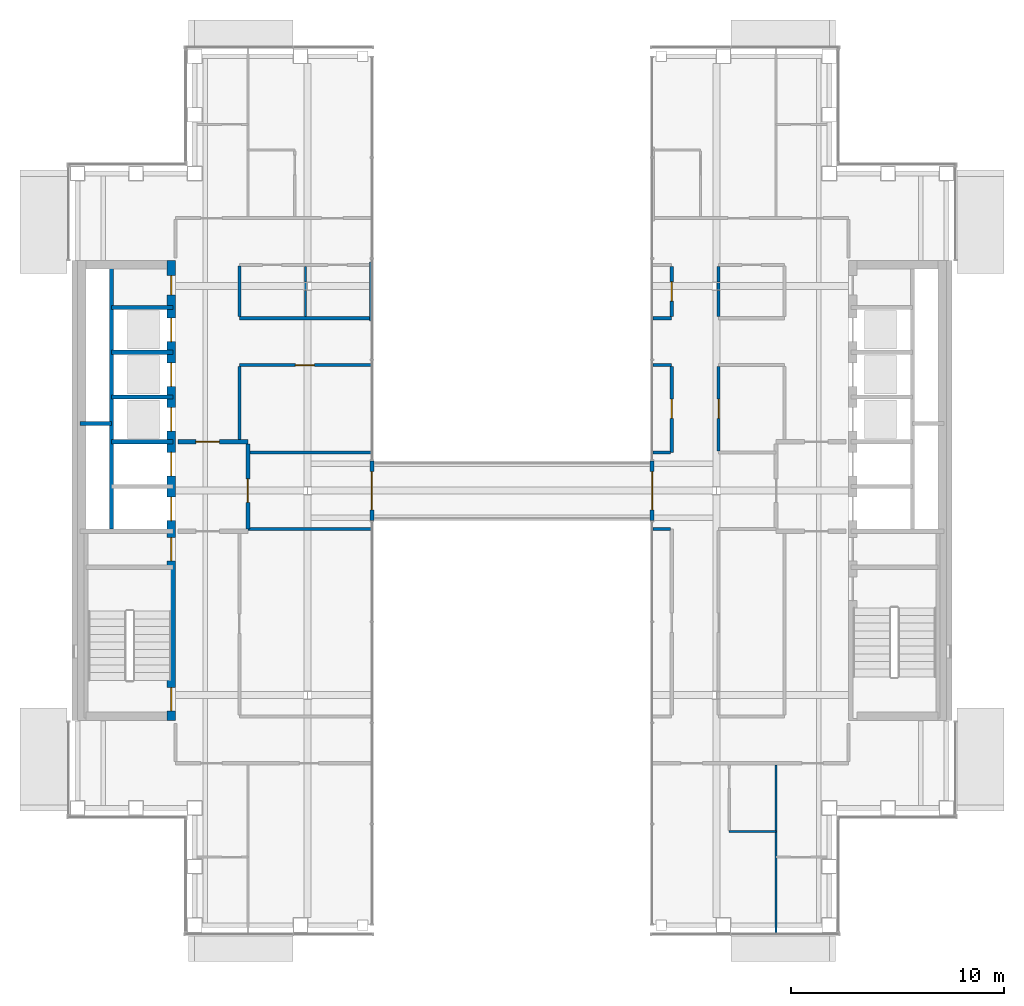
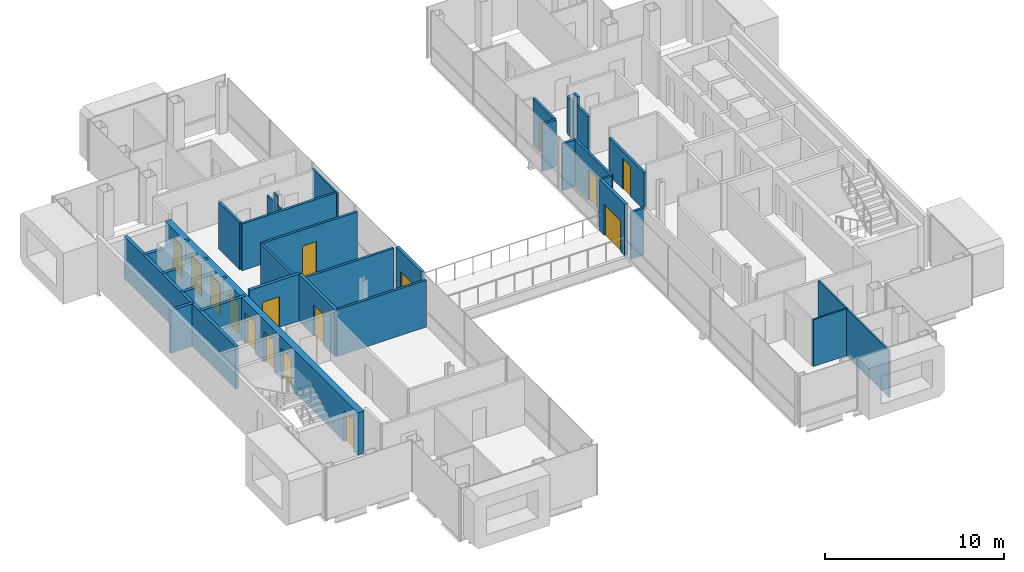
# One storey, part 11 of 17: 33 walls, 16 doors, 16 openings.
"""IFC4 building model written with IfcOpenShell, lengths in metres."""

import ifcopenshell
import ifcopenshell.guid

model = None  # the IFC model being written
_history = None  # IfcOwnerHistory: only IFC2X3 demands one
_inside = {}  # id of a spatial element -> (the spatial element, [elements in it])
_under = {}  # id of a project, library or spatial element -> (it, [spatial elements below it])
_declared = {}  # id of a project -> (the project, [libraries it declares])
_typed = {}  # id of a type object -> (the type object, [elements of that type])
_made_of = {}  # id of a material, layer set ... -> (it, [elements and type objects made of it])


def new_model(schema):
    """Start an empty IFC model of exactly this schema.

    Asked for "IFC4X3", IfcOpenShell would pick the latest addendum, in which some entities
    have other attributes; the version numbers below select the first issue.
    IFC2X3 requires an IfcOwnerHistory on every rooted entity: one is made here for all.
    """
    global model, _history
    if schema == "IFC4X3":
        model = ifcopenshell.file(schema_version=(4, 3, 0, 0))
    else:
        model = ifcopenshell.file(schema=schema)
    _inside.clear()
    _under.clear()
    _declared.clear()
    _typed.clear()
    _made_of.clear()
    _history = None
    if model.schema == "IFC2X3":
        org = make("IfcOrganization", Name="unknown")
        user = make(
            "IfcPersonAndOrganization",
            ThePerson=make("IfcPerson", FamilyName="unknown"),
            TheOrganization=org,
        )
        app = make(
            "IfcApplication",
            ApplicationDeveloper=org,
            Version="unknown",
            ApplicationFullName="unknown",
            ApplicationIdentifier="unknown",
        )
        _history = make(
            "IfcOwnerHistory",
            OwningUser=user,
            OwningApplication=app,
            ChangeAction="ADDED",
            CreationDate=0,
        )
    return model


def make(cls, **values):
    """One entity of the class cls with the attributes given. An attribute that is None is left unset."""
    return model.create_entity(
        cls, **{name: value for name, value in values.items() if value is not None}
    )


def rooted(cls, **values):
    """An entity with a GlobalId (a new one), such as an element, a storey or a relation."""
    return make(cls, GlobalId=ifcopenshell.guid.new(), OwnerHistory=_history, **values)


def si_unit(unit_type, name, prefix=None):
    """IfcSIUnit, for example si_unit("LENGTHUNIT", "METRE", prefix="MILLI")."""
    return make("IfcSIUnit", UnitType=unit_type, Prefix=prefix, Name=name)


def assignment(units):
    """IfcUnitAssignment: the units of a project."""
    return None if units is None else make("IfcUnitAssignment", Units=units)


def point(xyz):
    """IfcCartesianPoint."""
    return None if xyz is None else make("IfcCartesianPoint", Coordinates=xyz)


def direction(xyz):
    """IfcDirection."""
    return None if xyz is None else make("IfcDirection", DirectionRatios=xyz)


def frame(location, z_axis=None, x_axis=None):
    """IfcAxis2Placement3D, a coordinate frame: its origin and axes. An axis left out is left unset."""
    return make(
        "IfcAxis2Placement3D",
        Location=point(location),
        Axis=direction(z_axis),
        RefDirection=direction(x_axis),
    )


def frame_2d(location, x_axis=None):
    """IfcAxis2Placement2D, a coordinate frame in the plane: its origin and x axis."""
    return make(
        "IfcAxis2Placement2D", Location=point(location), RefDirection=direction(x_axis)
    )


def origin():
    """The frame at (0, 0, 0) with its axes left unset."""
    return frame((0.0, 0.0, 0.0))


def place(relative_to, where):
    """IfcLocalPlacement: puts the frame where relative to a parent placement (None: the world)."""
    return make(
        "IfcLocalPlacement", PlacementRelTo=relative_to, RelativePlacement=where
    )


def context(
    kind, dimensions, precision=None, world=None, true_north=None, identifier=None
):
    """IfcGeometricRepresentationContext, for example the 3D "Model" context."""
    return make(
        "IfcGeometricRepresentationContext",
        ContextIdentifier=identifier,
        ContextType=kind,
        CoordinateSpaceDimension=dimensions,
        Precision=precision,
        WorldCoordinateSystem=world,
        TrueNorth=true_north,
    )


def subcontext(parent, identifier, kind, view, scale=None):
    """IfcGeometricRepresentationSubContext, for example "Body" below "Model"."""
    return make(
        "IfcGeometricRepresentationSubContext",
        ContextIdentifier=identifier,
        ContextType=kind,
        ParentContext=parent,
        TargetScale=scale,
        TargetView=view,
    )


def project(units=None, contexts=None):
    """IfcProject with its units and contexts."""
    return rooted(
        "IfcProject",
        Name="project",
        RepresentationContexts=contexts,
        UnitsInContext=assignment(units),
    )


def spatial(cls, under=None, at=None, **own):
    """A site, building, storey or space (cls), placed at a placement, below another one or the project."""
    s = rooted(cls, ObjectPlacement=at, **own)
    if under is not None:
        _under.setdefault(under.id(), (under, []))[1].append(s)
    return s


def profile(cls, at=None, kind="AREA", **sizes):
    """A parametric profile (cls). Its sizes go by their IFC names, for example OverallWidth=200.0."""
    return make(cls, ProfileType=kind, Position=at, **sizes)


def rectangle(**sizes):
    """IfcRectangleProfileDef."""
    return profile("IfcRectangleProfileDef", **sizes)


def extrude(swept, where, along, depth):
    """IfcExtrudedAreaSolid: the profile swept, set in the frame where, extruded along a direction by depth."""
    return make(
        "IfcExtrudedAreaSolid",
        SweptArea=swept,
        Position=where,
        ExtrudedDirection=direction(along),
        Depth=depth,
    )


def shape(context_of_items, identifier, shape_type, items):
    """IfcShapeRepresentation: the items that make up one representation, for example the "Body"."""
    return make(
        "IfcShapeRepresentation",
        ContextOfItems=context_of_items,
        RepresentationIdentifier=identifier,
        RepresentationType=shape_type,
        Items=items,
    )


def material(Name=None, Category=None):
    """IfcMaterial."""
    return make("IfcMaterial", Name=Name, Category=Category)


def layer(
    of_material, thickness, ventilated=None, Name=None, Category=None, Priority=None
):
    """IfcMaterialLayer: one layer of a wall or slab, of a material (None: an air gap)."""
    return make(
        "IfcMaterialLayer",
        Material=of_material,
        LayerThickness=thickness,
        IsVentilated=ventilated,
        Name=Name,
        Category=Category,
        Priority=Priority,
    )


def layer_set(layers, Name=None):
    """IfcMaterialLayerSet."""
    return make("IfcMaterialLayerSet", MaterialLayers=layers, LayerSetName=Name)


def made_of(thing, what):
    """Note that an element or type object is made of a material, layer set ...; save() writes the relation."""
    if what is not None:
        _made_of.setdefault(what.id(), (what, []))[1].append(thing)
    return thing


def type_object(cls, material=None, **own):
    """A type object (cls), such as IfcWallType, which elements share."""
    return made_of(rooted(cls, **own), material)


def element(
    cls,
    number,
    at=None,
    inside=None,
    cuts=None,
    type_object=None,
    material=None,
    context=None,
    identifier="Body",
    shape_type=None,
    held_by="IfcProductDefinitionShape",
    body=None,
    shapes=None,
    **own,
):
    """One element of the class cls, such as IfcWall. Its Tag is "e" and its number.

    at: its placement. inside: the storey or other place that contains it. cuts: it is an
    opening in that element (IfcRelVoidsElement). A single representation is given by context,
    identifier, shape_type and body (its items); several are given by shapes. held_by: the class
    of the entity that holds the representations. save() writes the other relations.
    """
    e = rooted(cls, Tag="e%d" % number, ObjectPlacement=at, **own)
    if body is not None:
        shapes = [shape(context, identifier, shape_type, body)]
    if shapes is not None:
        e.Representation = make(held_by, Representations=shapes)
    if inside is not None:
        _inside.setdefault(inside.id(), (inside, []))[1].append(e)
    if cuts is not None:
        rooted(
            "IfcRelVoidsElement", RelatingBuildingElement=cuts, RelatedOpeningElement=e
        )
    if type_object is not None:
        _typed.setdefault(type_object.id(), (type_object, []))[1].append(e)
    return made_of(e, material)


def fill(opening, filler):
    """IfcRelFillsElement: the door or window that sits in an opening."""
    return rooted(
        "IfcRelFillsElement",
        RelatingOpeningElement=opening,
        RelatedBuildingElement=filler,
    )


def aggregate(whole, parts):
    """IfcRelAggregates: a whole, such as a stair, and the parts it consists of."""
    return rooted("IfcRelAggregates", RelatingObject=whole, RelatedObjects=parts)


def save(model, path):
    """Write the relations noted so far, then the file.

    IfcRelAggregates (storeys below a building ...), IfcRelContainedInSpatialStructure (elements
    in a storey), IfcRelDefinesByType, IfcRelAssociatesMaterial and IfcRelDeclares: one each for
    every whole, place, type object, material and project.
    """
    for whole, parts in _under.values():
        aggregate(whole, parts)
    for where, things in _inside.values():
        rooted(
            "IfcRelContainedInSpatialStructure",
            RelatedElements=things,
            RelatingStructure=where,
        )
    for kind, things in _typed.values():
        rooted("IfcRelDefinesByType", RelatedObjects=things, RelatingType=kind)
    for what, things in _made_of.values():
        rooted("IfcRelAssociatesMaterial", RelatedObjects=things, RelatingMaterial=what)
    for by, libraries in _declared.values():
        rooted("IfcRelDeclares", RelatingContext=by, RelatedDefinitions=libraries)
    model.write(path)


model = new_model("IFC4")

# Units and contexts
model_context = context("Model", 3, precision=1e-05, world=origin(), true_north=direction((0.0, 1.0)))
body_context = subcontext(model_context, "Body", "Model", "MODEL_VIEW")
ifc_project = project(units=[si_unit("LENGTHUNIT", "METRE"), si_unit("AREAUNIT", "SQUARE_METRE"), si_unit("VOLUMEUNIT", "CUBIC_METRE"), si_unit("PLANEANGLEUNIT", "RADIAN"), si_unit("MASSUNIT", "GRAM", prefix="KILO")], contexts=[model_context])

# Site, building, storey
site_placement = place(None, origin())
site = spatial("IfcSite", under=ifc_project, at=site_placement, CompositionType="ELEMENT")
building_placement = place(site_placement, origin())
building = spatial("IfcBuilding", under=site, at=building_placement, Name="Cobrizo Arcos Hotel Tower", CompositionType="ELEMENT")
storey_placement = place(building_placement, frame((0.0, 0.0, 233.0)))
storey = spatial("IfcBuildingStorey", under=building, at=storey_placement, Name="L61", CompositionType="ELEMENT", Elevation=233.0)

# Walls
ifc_material_1 = material(Name="Gypsum board partition")
ifc_layer_1 = layer(ifc_material_1, 0.14990234375)
ifc_layer_set_1 = layer_set([ifc_layer_1], Name="Corridor wall EI 60 150")
wall_type_1 = type_object("IfcWallType", Name="Corridor wall EI 60 150", PredefinedType="PARTITIONING", material=ifc_layer_set_1)
wall_1_placement = place(storey_placement, frame((-12.39990234375, -1.800048828125, 0.0), z_axis=(0.0, 0.0, 1.0), x_axis=(1.0, 0.0, 0.0)))
element("IfcWall", 1, at=wall_1_placement, inside=storey, type_object=wall_type_1, Name="Partition 015", PredefinedType="PARTITIONING", context=body_context, shape_type="SweptSolid", body=[
    extrude(rectangle(XDim=5.77978515625, YDim=0.14990234375, at=frame_2d((2.889892578125, 0.0))), origin(), (0.0, 0.0, 1.0), 3.199951171875),
])
wall_2_placement = place(storey_placement, frame((6.6201171875, -1.800048828125, 0.0), z_axis=(0.0, 0.0, 1.0), x_axis=(1.0, 0.0, 0.0)))
element("IfcWall", 2, at=wall_2_placement, inside=storey, type_object=wall_type_1, Name="Partition 016", PredefinedType="PARTITIONING", context=body_context, shape_type="SweptSolid", body=[
    extrude(rectangle(XDim=0.829833984375, YDim=0.14990234375, at=frame_2d((0.4150390625, 0.0))), origin(), (0.0, 0.0, 1.0), 3.199951171875),
])
wall_3_placement = place(storey_placement, frame((-12.39990234375, 1.800048828125, 0.0), z_axis=(0.0, 0.0, 1.0), x_axis=(1.0, 0.0, 0.0)))
element("IfcWall", 3, at=wall_3_placement, inside=storey, type_object=wall_type_1, Name="Partition 020", PredefinedType="PARTITIONING", context=body_context, shape_type="SweptSolid", body=[
    extrude(rectangle(XDim=5.77978515625, YDim=0.14990234375, at=frame_2d((2.889892578125, 0.0))), origin(), (0.0, 0.0, 1.0), 3.199951171875),
])
wall_4_placement = place(storey_placement, frame((6.6201171875, 1.800048828125, 0.0), z_axis=(0.0, 0.0, 1.0), x_axis=(1.0, 0.0, 0.0)))
element("IfcWall", 4, at=wall_4_placement, inside=storey, type_object=wall_type_1, Name="Partition 021", PredefinedType="PARTITIONING", context=body_context, shape_type="SweptSolid", body=[
    extrude(rectangle(XDim=0.829833984375, YDim=0.14990234375, at=frame_2d((0.4150390625, 0.0))), origin(), (0.0, 0.0, 1.0), 3.199951171875),
])

# Wall, opening, door
wall_5_placement = place(storey_placement, frame((-12.800048828125, 5.89990234375, 0.0), z_axis=(0.0, 0.0, 1.0), x_axis=(1.0, 0.0, 0.0)))
wall_5 = element("IfcWall", 5, at=wall_5_placement, inside=storey, type_object=wall_type_1, Name="Partition 031", PredefinedType="PARTITIONING", context=body_context, shape_type="SweptSolid", body=[
    extrude(rectangle(XDim=6.179931640625, YDim=0.14990234375, at=frame_2d((3.08984375, 0.0))), origin(), (0.0, 0.0, 1.0), 3.199951171875),
])
opening_1_placement = place(wall_5_placement, frame((2.625, 0.0, 0.0)))
opening_1 = element("IfcOpeningElement", 6, at=opening_1_placement, cuts=wall_5, Name="Opening RD-09", PredefinedType="OPENING", context=body_context, shape_type="SweptSolid", body=[
    extrude(rectangle(XDim=0.89990234375, YDim=2.10009765625, at=frame_2d((0.449951171875, 1.050048828125))), frame((0.0, 0.0869140625, 0.0), z_axis=(0.0, -1.0, 0.0), x_axis=(1.0, 0.0, 0.0)), (0.0, 0.0, 1.0), 0.173828125),
])
ifc_material_2 = material(Name="Timber door leaf", Category="wood")
door_type_1 = type_object("IfcDoorType", Name="Room door FD30 900x2100", OperationType="SINGLE_SWING_LEFT", PredefinedType="DOOR", material=ifc_material_2)
door_1_placement = place(opening_1_placement, origin())
door_1 = element("IfcDoor", 7, at=door_1_placement, inside=storey, type_object=door_type_1, Name="Door RD-09", OperationType="SINGLE_SWING_LEFT", OverallHeight=2.10009765625, OverallWidth=0.89990234375, PredefinedType="DOOR", context=body_context, shape_type="SweptSolid", body=[
    extrude(rectangle(XDim=0.89990234375, YDim=2.10009765625, at=frame_2d((0.449951171875, 1.050048828125))), frame((0.0, 0.02490234375, 0.0), z_axis=(0.0, -1.0, 0.0), x_axis=(1.0, 0.0, 0.0)), (0.0, 0.0, 1.0), 0.050048828125),
])
fill(opening_1, door_1)

# Walls
wall_6_placement = place(storey_placement, frame((6.6201171875, 5.89990234375, 0.0), z_axis=(0.0, 0.0, 1.0), x_axis=(1.0, 0.0, 0.0)))
element("IfcWall", 8, at=wall_6_placement, inside=storey, type_object=wall_type_1, Name="Partition 032", PredefinedType="PARTITIONING", context=body_context, shape_type="SweptSolid", body=[
    extrude(rectangle(XDim=0.8798828125, YDim=0.14990234375, at=frame_2d((0.43994140625, 0.0))), origin(), (0.0, 0.0, 1.0), 3.199951171875),
])
wall_7_placement = place(storey_placement, frame((-12.800048828125, 8.10009765625, 0.0), z_axis=(0.0, 0.0, 1.0), x_axis=(1.0, 0.0, 0.0)))
element("IfcWall", 9, at=wall_7_placement, inside=storey, type_object=wall_type_1, Name="Partition 036", PredefinedType="PARTITIONING", context=body_context, shape_type="SweptSolid", body=[
    extrude(rectangle(XDim=6.150146484375, YDim=0.14990234375, at=frame_2d((3.0751953125, 0.0))), origin(), (0.0, 0.0, 1.0), 3.199951171875),
])
wall_8_placement = place(storey_placement, frame((6.6201171875, 8.10009765625, 0.0), z_axis=(0.0, 0.0, 1.0), x_axis=(1.0, 0.0, 0.0)))
element("IfcWall", 10, at=wall_8_placement, inside=storey, type_object=wall_type_1, Name="Partition 037", PredefinedType="PARTITIONING", context=body_context, shape_type="SweptSolid", body=[
    extrude(rectangle(XDim=0.8798828125, YDim=0.14990234375, at=frame_2d((0.43994140625, 0.0))), origin(), (0.0, 0.0, 1.0), 3.199951171875),
])
wall_9_placement = place(storey_placement, frame((-12.800048828125, 2.39990234375, 0.0), z_axis=(0.0, 0.0, 1.0), x_axis=(0.0, 1.0, 0.0)))
element("IfcWall", 11, at=wall_9_placement, inside=storey, type_object=wall_type_1, Name="Partition 055", PredefinedType="PARTITIONING", context=body_context, shape_type="SweptSolid", body=[
    extrude(rectangle(XDim=3.425048828125, YDim=0.14990234375, at=frame_2d((1.71240234375, 0.0))), origin(), (0.0, 0.0, 1.0), 3.199951171875),
])
wall_10_placement = place(storey_placement, frame((-12.800048828125, 8.175048828125, 0.0), z_axis=(0.0, 0.0, 1.0), x_axis=(0.0, 1.0, 0.0)))
element("IfcWall", 12, at=wall_10_placement, inside=storey, type_object=wall_type_1, Name="Partition 056", PredefinedType="PARTITIONING", context=body_context, shape_type="SweptSolid", body=[
    extrude(rectangle(XDim=2.375, YDim=0.14990234375, at=frame_2d((1.1875, 0.0))), origin(), (0.0, 0.0, 1.0), 3.199951171875),
])

# Wall, opening, door
wall_11_placement = place(storey_placement, frame((7.5, 1.800048828125, 0.0), z_axis=(0.0, 0.0, 1.0), x_axis=(0.0, 1.0, 0.0)))
wall_11 = element("IfcWall", 13, at=wall_11_placement, inside=storey, type_object=wall_type_1, Name="Partition 067", PredefinedType="PARTITIONING", context=body_context, shape_type="SweptSolid", body=[
    extrude(rectangle(XDim=4.02490234375, YDim=0.14990234375, at=frame_2d((2.012451171875, 0.0))), origin(), (0.0, 0.0, 1.0), 3.199951171875),
])
opening_2_placement = place(wall_11_placement, frame((1.60009765625, 0.0, 0.0)))
opening_2 = element("IfcOpeningElement", 14, at=opening_2_placement, cuts=wall_11, Name="Opening RD-05", PredefinedType="OPENING", context=body_context, shape_type="SweptSolid", body=[
    extrude(rectangle(XDim=0.89990234375, YDim=2.10009765625, at=frame_2d((0.449951171875, 1.050048828125))), frame((0.0, 0.0869140625, 0.0), z_axis=(0.0, -1.0, 0.0), x_axis=(1.0, 0.0, 0.0)), (0.0, 0.0, 1.0), 0.173828125),
])
door_2_placement = place(opening_2_placement, origin())
door_2 = element("IfcDoor", 15, at=door_2_placement, inside=storey, type_object=door_type_1, Name="Door RD-05", OperationType="SINGLE_SWING_LEFT", OverallHeight=2.10009765625, OverallWidth=0.89990234375, PredefinedType="DOOR", context=body_context, shape_type="SweptSolid", body=[
    extrude(rectangle(XDim=0.89990234375, YDim=2.10009765625, at=frame_2d((0.449951171875, 1.050048828125))), frame((0.0, 0.02490234375, 0.0), z_axis=(0.0, -1.0, 0.0), x_axis=(1.0, 0.0, 0.0)), (0.0, 0.0, 1.0), 0.050048828125),
])
fill(opening_2, door_2)

wall_12_placement = place(storey_placement, frame((7.5, 8.175048828125, 0.0), z_axis=(0.0, 0.0, 1.0), x_axis=(0.0, 1.0, 0.0)))
wall_12 = element("IfcWall", 16, at=wall_12_placement, inside=storey, type_object=wall_type_1, Name="Partition 068", PredefinedType="PARTITIONING", context=body_context, shape_type="SweptSolid", body=[
    extrude(rectangle(XDim=2.349853515625, YDim=0.14990234375, at=frame_2d((1.1748046875, 0.0))), origin(), (0.0, 0.0, 1.0), 3.199951171875),
])
opening_3_placement = place(wall_12_placement, frame((0.72509765625, 0.0, 0.0)))
opening_3 = element("IfcOpeningElement", 17, at=opening_3_placement, cuts=wall_12, Name="Opening RD-04", PredefinedType="OPENING", context=body_context, shape_type="SweptSolid", body=[
    extrude(rectangle(XDim=0.89990234375, YDim=2.10009765625, at=frame_2d((0.449951171875, 1.050048828125))), frame((0.0, 0.0869140625, 0.0), z_axis=(0.0, -1.0, 0.0), x_axis=(1.0, 0.0, 0.0)), (0.0, 0.0, 1.0), 0.173828125),
])
door_3_placement = place(opening_3_placement, origin())
door_3 = element("IfcDoor", 18, at=door_3_placement, inside=storey, type_object=door_type_1, Name="Door RD-04", OperationType="SINGLE_SWING_LEFT", OverallHeight=2.10009765625, OverallWidth=0.89990234375, PredefinedType="DOOR", context=body_context, shape_type="SweptSolid", body=[
    extrude(rectangle(XDim=0.89990234375, YDim=2.10009765625, at=frame_2d((0.449951171875, 1.050048828125))), frame((0.0, 0.02490234375, 0.0), z_axis=(0.0, -1.0, 0.0), x_axis=(1.0, 0.0, 0.0)), (0.0, 0.0, 1.0), 0.050048828125),
])
fill(opening_3, door_3)

wall_13_placement = place(storey_placement, frame((9.699951171875, 1.875, 0.0), z_axis=(0.0, 0.0, 1.0), x_axis=(0.0, 1.0, 0.0)))
wall_13 = element("IfcWall", 19, at=wall_13_placement, inside=storey, type_object=wall_type_1, Name="Partition 073", PredefinedType="PARTITIONING", context=body_context, shape_type="SweptSolid", body=[
    extrude(rectangle(XDim=3.949951171875, YDim=0.14990234375, at=frame_2d((1.97509765625, 0.0))), origin(), (0.0, 0.0, 1.0), 2.577880859375),
])
opening_4_placement = place(wall_13_placement, frame((1.52490234375, 0.0, 0.0)))
opening_4 = element("IfcOpeningElement", 20, at=opening_4_placement, cuts=wall_13, Name="Opening RD-08", PredefinedType="OPENING", context=body_context, shape_type="SweptSolid", body=[
    extrude(rectangle(XDim=0.89990234375, YDim=2.10009765625, at=frame_2d((0.449951171875, 1.050048828125))), frame((0.0, 0.0869140625, 0.0), z_axis=(0.0, -1.0, 0.0), x_axis=(1.0, 0.0, 0.0)), (0.0, 0.0, 1.0), 0.173828125),
])
door_4_placement = place(opening_4_placement, origin())
door_4 = element("IfcDoor", 21, at=door_4_placement, inside=storey, type_object=door_type_1, Name="Door RD-08", OperationType="SINGLE_SWING_LEFT", OverallHeight=2.10009765625, OverallWidth=0.89990234375, PredefinedType="DOOR", context=body_context, shape_type="SweptSolid", body=[
    extrude(rectangle(XDim=0.89990234375, YDim=2.10009765625, at=frame_2d((0.449951171875, 1.050048828125))), frame((0.0, 0.02490234375, 0.0), z_axis=(0.0, -1.0, 0.0), x_axis=(1.0, 0.0, 0.0)), (0.0, 0.0, 1.0), 0.050048828125),
])
fill(opening_4, door_4)

# Walls
wall_14_placement = place(storey_placement, frame((9.699951171875, 8.175048828125, 0.0), z_axis=(0.0, 0.0, 1.0), x_axis=(0.0, 1.0, 0.0)))
element("IfcWall", 22, at=wall_14_placement, inside=storey, type_object=wall_type_1, Name="Partition 074", PredefinedType="PARTITIONING", context=body_context, shape_type="SweptSolid", body=[
    extrude(rectangle(XDim=1.223876953125, YDim=0.14990234375, at=frame_2d((0.61181640625, 0.0))), origin(), (0.0, 0.0, 1.0), 2.577880859375),
])
wall_15_placement = place(storey_placement, frame((9.699951171875, 9.39892578125, 0.0), z_axis=(0.0, 0.0, 1.0), x_axis=(0.0, 1.0, 0.0)))
element("IfcWall", 23, at=wall_15_placement, inside=storey, type_object=wall_type_1, Name="Partition 075", PredefinedType="PARTITIONING", context=body_context, shape_type="SweptSolid", body=[
    extrude(rectangle(XDim=0.401123046875, YDim=0.14990234375, at=frame_2d((0.20068359375, 0.0))), origin(), (0.0, 0.0, 1.0), 3.199951171875),
])
wall_16_placement = place(storey_placement, frame((9.699951171875, 9.800048828125, 0.0), z_axis=(0.0, 0.0, 1.0), x_axis=(0.0, 1.0, 0.0)))
element("IfcWall", 24, at=wall_16_placement, inside=storey, type_object=wall_type_1, Name="Partition 076", PredefinedType="PARTITIONING", context=body_context, shape_type="SweptSolid", body=[
    extrude(rectangle(XDim=0.724853515625, YDim=0.14990234375, at=frame_2d((0.3623046875, 0.0))), origin(), (0.0, 0.0, 1.0), 2.577880859375),
])

# Wall, opening, door
ifc_material_3 = material(Name="Aluminium 6063-T6 anodised pale", Category="aluminium")
ifc_layer_2 = layer(ifc_material_3, 0.199951171875)
ifc_layer_set_2 = layer_set([ifc_layer_2], Name="EW-4 sky bridge door frame wall")
wall_type_2 = type_object("IfcWallType", Name="EW-4 sky bridge door frame wall", PredefinedType="SOLIDWALL", material=ifc_layer_set_2)
wall_17_placement = place(storey_placement, frame((6.574951171875, -1.39990234375, 0.0), z_axis=(0.0, 0.0, 1.0), x_axis=(0.0, 1.0, 0.0)))
wall_17 = element("IfcWall", 25, at=wall_17_placement, inside=storey, type_object=wall_type_2, Name="Sky bridge door wall C E", PredefinedType="SOLIDWALL", context=body_context, shape_type="SweptSolid", body=[
    extrude(rectangle(XDim=2.7998046875, YDim=0.199951171875, at=frame_2d((1.39990234375, 0.0))), origin(), (0.0, 0.0, 1.0), 3.5),
])
opening_5_placement = place(wall_17_placement, frame((0.5, 0.0, 0.0)))
opening_5 = element("IfcOpeningElement", 26, at=opening_5_placement, cuts=wall_17, Name="Opening E-64", PredefinedType="OPENING", context=body_context, shape_type="SweptSolid", body=[
    extrude(rectangle(XDim=1.800048828125, YDim=2.10009765625, at=frame_2d((0.89990234375, 1.050048828125))), frame((0.0, 0.112060546875, 0.0), z_axis=(0.0, -1.0, 0.0), x_axis=(1.0, 0.0, 0.0)), (0.0, 0.0, 1.0), 0.223876953125),
])
ifc_material_4 = material(Name="Aluminium 6063-T6 and clear laminated glass", Category="aluminium")
door_type_2 = type_object("IfcDoorType", Name="D-B1 sky bridge double door 1800x2100", OperationType="DOUBLE_DOOR_DOUBLE_SWING", PredefinedType="DOOR", material=ifc_material_4)
door_5_placement = place(opening_5_placement, origin())
door_5 = element("IfcDoor", 27, at=door_5_placement, inside=storey, type_object=door_type_2, Name="Sky bridge door wall C E door E-64", OperationType="DOUBLE_DOOR_DOUBLE_SWING", OverallHeight=2.10009765625, OverallWidth=1.800048828125, PredefinedType="DOOR", context=body_context, shape_type="SweptSolid", body=[
    extrude(rectangle(XDim=1.800048828125, YDim=2.10009765625, at=frame_2d((0.89990234375, 1.050048828125))), frame((0.0, 0.02490234375, 0.0), z_axis=(0.0, -1.0, 0.0), x_axis=(1.0, 0.0, 0.0)), (0.0, 0.0, 1.0), 0.050048828125),
])
fill(opening_5, door_5)

wall_18_placement = place(storey_placement, frame((-6.574951171875, -1.39990234375, 0.0), z_axis=(0.0, 0.0, 1.0), x_axis=(0.0, 1.0, 0.0)))
wall_18 = element("IfcWall", 28, at=wall_18_placement, inside=storey, type_object=wall_type_2, Name="Sky bridge door wall C W", PredefinedType="SOLIDWALL", context=body_context, shape_type="SweptSolid", body=[
    extrude(rectangle(XDim=2.7998046875, YDim=0.199951171875, at=frame_2d((1.39990234375, 0.0))), origin(), (0.0, 0.0, 1.0), 3.5),
])
opening_6_placement = place(wall_18_placement, frame((0.5, 0.0, 0.0)))
opening_6 = element("IfcOpeningElement", 29, at=opening_6_placement, cuts=wall_18, Name="Opening E-65", PredefinedType="OPENING", context=body_context, shape_type="SweptSolid", body=[
    extrude(rectangle(XDim=1.800048828125, YDim=2.10009765625, at=frame_2d((0.89990234375, 1.050048828125))), frame((0.0, 0.112060546875, 0.0), z_axis=(0.0, -1.0, 0.0), x_axis=(1.0, 0.0, 0.0)), (0.0, 0.0, 1.0), 0.223876953125),
])
door_6_placement = place(opening_6_placement, origin())
door_6 = element("IfcDoor", 30, at=door_6_placement, inside=storey, type_object=door_type_2, Name="Sky bridge door wall C W door E-65", OperationType="DOUBLE_DOOR_DOUBLE_SWING", OverallHeight=2.10009765625, OverallWidth=1.800048828125, PredefinedType="DOOR", context=body_context, shape_type="SweptSolid", body=[
    extrude(rectangle(XDim=1.800048828125, YDim=2.10009765625, at=frame_2d((0.89990234375, 1.050048828125))), frame((0.0, 0.02490234375, 0.0), z_axis=(0.0, -1.0, 0.0), x_axis=(1.0, 0.0, 0.0)), (0.0, 0.0, 1.0), 0.050048828125),
])
fill(opening_6, door_6)

# Walls
ifc_layer_3 = layer(ifc_material_1, 0.10009765625)
ifc_layer_set_3 = layer_set([ifc_layer_3], Name="Partition EI 30 100")
wall_type_3 = type_object("IfcWallType", Name="Partition EI 30 100", PredefinedType="PARTITIONING", material=ifc_layer_set_3)
wall_19_placement = place(storey_placement, frame((10.199951171875, -16.0, 0.0), z_axis=(0.0, 0.0, 1.0), x_axis=(1.0, 0.0, 0.0)))
element("IfcWall", 31, at=wall_19_placement, inside=storey, type_object=wall_type_3, Name="Partition 003", PredefinedType="PARTITIONING", context=body_context, shape_type="SweptSolid", body=[
    extrude(rectangle(XDim=2.199951171875, YDim=0.10009765625, at=frame_2d((1.10009765625, 0.0))), origin(), (0.0, 0.0, 1.0), 3.199951171875),
])
wall_20_placement = place(storey_placement, frame((-9.699951171875, 8.175048828125, 0.0), z_axis=(0.0, 0.0, 1.0), x_axis=(0.0, 1.0, 0.0)))
element("IfcWall", 32, at=wall_20_placement, inside=storey, type_object=wall_type_3, Name="Partition 061", PredefinedType="PARTITIONING", context=body_context, shape_type="SweptSolid", body=[
    extrude(rectangle(XDim=1.223876953125, YDim=0.10009765625, at=frame_2d((0.61181640625, 0.0))), origin(), (0.0, 0.0, 1.0), 2.577880859375),
])
wall_21_placement = place(storey_placement, frame((-9.699951171875, 9.39892578125, 0.0), z_axis=(0.0, 0.0, 1.0), x_axis=(0.0, 1.0, 0.0)))
element("IfcWall", 33, at=wall_21_placement, inside=storey, type_object=wall_type_3, Name="Partition 062", PredefinedType="PARTITIONING", context=body_context, shape_type="SweptSolid", body=[
    extrude(rectangle(XDim=0.401123046875, YDim=0.10009765625, at=frame_2d((0.20068359375, 0.0))), origin(), (0.0, 0.0, 1.0), 3.199951171875),
])
wall_22_placement = place(storey_placement, frame((-9.699951171875, 9.800048828125, 0.0), z_axis=(0.0, 0.0, 1.0), x_axis=(0.0, 1.0, 0.0)))
element("IfcWall", 34, at=wall_22_placement, inside=storey, type_object=wall_type_3, Name="Partition 063", PredefinedType="PARTITIONING", context=body_context, shape_type="SweptSolid", body=[
    extrude(rectangle(XDim=0.724853515625, YDim=0.10009765625, at=frame_2d((0.3623046875, 0.0))), origin(), (0.0, 0.0, 1.0), 2.577880859375),
])
wall_23_placement = place(storey_placement, frame((-6.64990234375, 7.9599609375, 0.0), z_axis=(0.0, 0.0, 1.0), x_axis=(0.0, 1.0, 0.0)))
element("IfcWall", 35, at=wall_23_placement, inside=storey, type_object=wall_type_3, Name="Partition 064", PredefinedType="PARTITIONING", context=body_context, shape_type="SweptSolid", body=[
    extrude(rectangle(XDim=2.780029296875, YDim=0.10009765625, at=frame_2d((1.39013671875, 0.0))), origin(), (0.0, 0.0, 1.0), 3.199951171875),
])
wall_24_placement = place(storey_placement, frame((12.39990234375, -20.780029296875, 0.0), z_axis=(0.0, 0.0, 1.0), x_axis=(0.0, 1.0, 0.0)))
element("IfcWall", 36, at=wall_24_placement, inside=storey, type_object=wall_type_3, Name="Partition 078", PredefinedType="PARTITIONING", context=body_context, shape_type="SweptSolid", body=[
    extrude(rectangle(XDim=7.905029296875, YDim=0.10009765625, at=frame_2d((3.95263671875, 0.0))), origin(), (0.0, 0.0, 1.0), 3.199951171875),
])

# Wall, openings, doors
ifc_material_5 = material(Name="Concrete f'c 40 MPa", Category="concrete")
ifc_layer_4 = layer(ifc_material_5, 0.39990234375)
ifc_layer_set_4 = layer_set([ifc_layer_4], Name="RC core wall 400 f'c 40")
wall_type_4 = type_object("IfcWallType", Name="RC core wall 400 f'c 40", PredefinedType="SHEAR", material=ifc_layer_set_4)
wall_25_placement = place(storey_placement, frame((-16.0, -10.800048828125, 0.0), z_axis=(0.0, 0.0, 1.0), x_axis=(0.0, 1.0, 0.0)))
wall_25 = element("IfcWall", 37, at=wall_25_placement, inside=storey, type_object=wall_type_4, Name="Core wall CW4, west core, inner face, L61", PredefinedType="SHEAR", context=body_context, shape_type="SweptSolid", body=[
    extrude(rectangle(XDim=21.60009765625, YDim=0.39990234375, at=frame_2d((10.800048828125, 0.0))), origin(), (0.0, 0.0, 1.0), 2.89990234375),
])
opening_7_placement = place(wall_25_placement, frame((9.39990234375, 0.0, 0.0)))
opening_7 = element("IfcOpeningElement", 38, at=opening_7_placement, cuts=wall_25, Name="Opening LD-01", PredefinedType="OPENING", context=body_context, shape_type="SweptSolid", body=[
    extrude(rectangle(XDim=1.10009765625, YDim=2.10009765625, at=frame_2d((0.550048828125, 1.050048828125))), frame((0.0, 0.2119140625, 0.0), z_axis=(0.0, -1.0, 0.0), x_axis=(1.0, 0.0, 0.0)), (0.0, 0.0, 1.0), 0.423828125),
])
opening_8_placement = place(wall_25_placement, frame((11.5, 0.0, 0.0)))
opening_8 = element("IfcOpeningElement", 39, at=opening_8_placement, cuts=wall_25, Name="Opening LD-02", PredefinedType="OPENING", context=body_context, shape_type="SweptSolid", body=[
    extrude(rectangle(XDim=1.10009765625, YDim=2.10009765625, at=frame_2d((0.550048828125, 1.050048828125))), frame((0.0, 0.2119140625, 0.0), z_axis=(0.0, -1.0, 0.0), x_axis=(1.0, 0.0, 0.0)), (0.0, 0.0, 1.0), 0.423828125),
])
opening_9_placement = place(wall_25_placement, frame((13.60009765625, 0.0, 0.0)))
opening_9 = element("IfcOpeningElement", 40, at=opening_9_placement, cuts=wall_25, Name="Opening LD-03", PredefinedType="OPENING", context=body_context, shape_type="SweptSolid", body=[
    extrude(rectangle(XDim=1.10009765625, YDim=2.10009765625, at=frame_2d((0.550048828125, 1.050048828125))), frame((0.0, 0.2119140625, 0.0), z_axis=(0.0, -1.0, 0.0), x_axis=(1.0, 0.0, 0.0)), (0.0, 0.0, 1.0), 0.423828125),
])
opening_10_placement = place(wall_25_placement, frame((15.699951171875, 0.0, 0.0)))
opening_10 = element("IfcOpeningElement", 41, at=opening_10_placement, cuts=wall_25, Name="Opening LD-04", PredefinedType="OPENING", context=body_context, shape_type="SweptSolid", body=[
    extrude(rectangle(XDim=1.10009765625, YDim=2.10009765625, at=frame_2d((0.550048828125, 1.050048828125))), frame((0.0, 0.2119140625, 0.0), z_axis=(0.0, -1.0, 0.0), x_axis=(1.0, 0.0, 0.0)), (0.0, 0.0, 1.0), 0.423828125),
])
opening_11_placement = place(wall_25_placement, frame((17.800048828125, 0.0, 0.0)))
opening_11 = element("IfcOpeningElement", 42, at=opening_11_placement, cuts=wall_25, Name="Opening LD-05", PredefinedType="OPENING", context=body_context, shape_type="SweptSolid", body=[
    extrude(rectangle(XDim=1.10009765625, YDim=2.10009765625, at=frame_2d((0.550048828125, 1.050048828125))), frame((0.0, 0.2119140625, 0.0), z_axis=(0.0, -1.0, 0.0), x_axis=(1.0, 0.0, 0.0)), (0.0, 0.0, 1.0), 0.423828125),
])
opening_12_placement = place(wall_25_placement, frame((0.4580078125, 0.0, 0.0)))
opening_12 = element("IfcOpeningElement", 43, at=opening_12_placement, cuts=wall_25, Name="Opening SD-01", PredefinedType="OPENING", context=body_context, shape_type="SweptSolid", body=[
    extrude(rectangle(XDim=1.10009765625, YDim=2.10009765625, at=frame_2d((0.550048828125, 1.050048828125))), frame((0.0, 0.2119140625, 0.0), z_axis=(0.0, -1.0, 0.0), x_axis=(1.0, 0.0, 0.0)), (0.0, 0.0, 1.0), 0.423828125),
])
opening_13_placement = place(wall_25_placement, frame((7.5, 0.0, 0.0)))
opening_13 = element("IfcOpeningElement", 44, at=opening_13_placement, cuts=wall_25, Name="Opening FD-01", PredefinedType="OPENING", context=body_context, shape_type="SweptSolid", body=[
    extrude(rectangle(XDim=1.10009765625, YDim=2.10009765625, at=frame_2d((0.550048828125, 1.050048828125))), frame((0.0, 0.2119140625, 0.0), z_axis=(0.0, -1.0, 0.0), x_axis=(1.0, 0.0, 0.0)), (0.0, 0.0, 1.0), 0.423828125),
])
opening_14_placement = place(wall_25_placement, frame((20.0, 0.0, 0.0)))
opening_14 = element("IfcOpeningElement", 45, at=opening_14_placement, cuts=wall_25, Name="Opening RD-01", PredefinedType="OPENING", context=body_context, shape_type="SweptSolid", body=[
    extrude(rectangle(XDim=0.89990234375, YDim=2.10009765625, at=frame_2d((0.449951171875, 1.050048828125))), frame((0.0, 0.2119140625, 0.0), z_axis=(0.0, -1.0, 0.0), x_axis=(1.0, 0.0, 0.0)), (0.0, 0.0, 1.0), 0.423828125),
])
ifc_material_6 = material(Name="Steel door leaf", Category="steel")
door_type_3 = type_object("IfcDoorType", Name="Fire door FD60 1100x2100", OperationType="SINGLE_SWING_LEFT", PredefinedType="DOOR", material=ifc_material_6)
door_7_placement = place(opening_13_placement, origin())
door_7 = element("IfcDoor", 46, at=door_7_placement, inside=storey, type_object=door_type_3, Name="Door FD-01", OperationType="SINGLE_SWING_RIGHT", OverallHeight=2.10009765625, OverallWidth=1.10009765625, PredefinedType="DOOR", context=body_context, shape_type="SweptSolid", body=[
    extrude(rectangle(XDim=1.10009765625, YDim=2.10009765625, at=frame_2d((0.550048828125, 1.050048828125))), frame((0.0, 0.02490234375, 0.0), z_axis=(0.0, -1.0, 0.0), x_axis=(1.0, 0.0, 0.0)), (0.0, 0.0, 1.0), 0.050048828125),
])
fill(opening_13, door_7)
door_type_4 = type_object("IfcDoorType", Name="Lift landing door 1100x2100", OperationType="SLIDING_TO_LEFT", PredefinedType="DOOR", material=ifc_material_6)
door_8_placement = place(opening_7_placement, origin())
door_8 = element("IfcDoor", 47, at=door_8_placement, inside=storey, type_object=door_type_4, Name="Lift landing door LD-01", OperationType="SLIDING_TO_LEFT", OverallHeight=2.10009765625, OverallWidth=1.10009765625, PredefinedType="DOOR", context=body_context, shape_type="SweptSolid", body=[
    extrude(rectangle(XDim=1.10009765625, YDim=2.10009765625, at=frame_2d((0.550048828125, 1.050048828125))), frame((0.0, 0.02490234375, 0.0), z_axis=(0.0, -1.0, 0.0), x_axis=(1.0, 0.0, 0.0)), (0.0, 0.0, 1.0), 0.050048828125),
])
fill(opening_7, door_8)
door_9_placement = place(opening_8_placement, origin())
door_9 = element("IfcDoor", 48, at=door_9_placement, inside=storey, type_object=door_type_4, Name="Lift landing door LD-02", OperationType="SLIDING_TO_LEFT", OverallHeight=2.10009765625, OverallWidth=1.10009765625, PredefinedType="DOOR", context=body_context, shape_type="SweptSolid", body=[
    extrude(rectangle(XDim=1.10009765625, YDim=2.10009765625, at=frame_2d((0.550048828125, 1.050048828125))), frame((0.0, 0.02490234375, 0.0), z_axis=(0.0, -1.0, 0.0), x_axis=(1.0, 0.0, 0.0)), (0.0, 0.0, 1.0), 0.050048828125),
])
fill(opening_8, door_9)
door_10_placement = place(opening_9_placement, origin())
door_10 = element("IfcDoor", 49, at=door_10_placement, inside=storey, type_object=door_type_4, Name="Lift landing door LD-03", OperationType="SLIDING_TO_LEFT", OverallHeight=2.10009765625, OverallWidth=1.10009765625, PredefinedType="DOOR", context=body_context, shape_type="SweptSolid", body=[
    extrude(rectangle(XDim=1.10009765625, YDim=2.10009765625, at=frame_2d((0.550048828125, 1.050048828125))), frame((0.0, 0.02490234375, 0.0), z_axis=(0.0, -1.0, 0.0), x_axis=(1.0, 0.0, 0.0)), (0.0, 0.0, 1.0), 0.050048828125),
])
fill(opening_9, door_10)
door_11_placement = place(opening_10_placement, origin())
door_11 = element("IfcDoor", 50, at=door_11_placement, inside=storey, type_object=door_type_4, Name="Lift landing door LD-04", OperationType="SLIDING_TO_LEFT", OverallHeight=2.10009765625, OverallWidth=1.10009765625, PredefinedType="DOOR", context=body_context, shape_type="SweptSolid", body=[
    extrude(rectangle(XDim=1.10009765625, YDim=2.10009765625, at=frame_2d((0.550048828125, 1.050048828125))), frame((0.0, 0.02490234375, 0.0), z_axis=(0.0, -1.0, 0.0), x_axis=(1.0, 0.0, 0.0)), (0.0, 0.0, 1.0), 0.050048828125),
])
fill(opening_10, door_11)
door_12_placement = place(opening_11_placement, origin())
door_12 = element("IfcDoor", 51, at=door_12_placement, inside=storey, type_object=door_type_4, Name="Lift landing door LD-05", OperationType="SLIDING_TO_LEFT", OverallHeight=2.10009765625, OverallWidth=1.10009765625, PredefinedType="DOOR", context=body_context, shape_type="SweptSolid", body=[
    extrude(rectangle(XDim=1.10009765625, YDim=2.10009765625, at=frame_2d((0.550048828125, 1.050048828125))), frame((0.0, 0.02490234375, 0.0), z_axis=(0.0, -1.0, 0.0), x_axis=(1.0, 0.0, 0.0)), (0.0, 0.0, 1.0), 0.050048828125),
])
fill(opening_11, door_12)
door_13_placement = place(opening_14_placement, origin())
door_13 = element("IfcDoor", 52, at=door_13_placement, inside=storey, type_object=door_type_1, Name="Door RD-01", OperationType="SINGLE_SWING_LEFT", OverallHeight=2.10009765625, OverallWidth=0.89990234375, PredefinedType="DOOR", context=body_context, shape_type="SweptSolid", body=[
    extrude(rectangle(XDim=0.89990234375, YDim=2.10009765625, at=frame_2d((0.449951171875, 1.050048828125))), frame((0.0, 0.02490234375, 0.0), z_axis=(0.0, -1.0, 0.0), x_axis=(1.0, 0.0, 0.0)), (0.0, 0.0, 1.0), 0.050048828125),
])
fill(opening_14, door_13)
door_type_5 = type_object("IfcDoorType", Name="Stair door FD60S 1100x2100", OperationType="SINGLE_SWING_LEFT", PredefinedType="DOOR", material=ifc_material_6)
door_14_placement = place(opening_12_placement, origin())
door_14 = element("IfcDoor", 53, at=door_14_placement, inside=storey, type_object=door_type_5, Name="Door SD-01", OperationType="SINGLE_SWING_LEFT", OverallHeight=2.10009765625, OverallWidth=1.10009765625, PredefinedType="DOOR", context=body_context, shape_type="SweptSolid", body=[
    extrude(rectangle(XDim=1.10009765625, YDim=2.10009765625, at=frame_2d((0.550048828125, 1.050048828125))), frame((0.0, 0.02490234375, 0.0), z_axis=(0.0, -1.0, 0.0), x_axis=(1.0, 0.0, 0.0)), (0.0, 0.0, 1.0), 0.050048828125),
])
fill(opening_12, door_14)

# Wall
ifc_layer_5 = layer(ifc_material_1, 0.199951171875)
ifc_layer_set_5 = layer_set([ifc_layer_5], Name="Shaft wall EI 120 200")
wall_type_5 = type_object("IfcWallType", Name="Shaft wall EI 120 200", PredefinedType="PARTITIONING", material=ifc_layer_set_5)
wall_26_placement = place(storey_placement, frame((-18.800048828125, 2.300048828125, 0.0), z_axis=(0.0, 0.0, 1.0), x_axis=(1.0, 0.0, 0.0)))
element("IfcWall", 54, at=wall_26_placement, inside=storey, type_object=wall_type_5, Name="Partition 023", PredefinedType="PARTITIONING", context=body_context, shape_type="SweptSolid", body=[
    extrude(rectangle(XDim=2.880126953125, YDim=0.199951171875, at=frame_2d((1.43994140625, 0.0))), origin(), (0.0, 0.0, 1.0), 2.89990234375),
])

# Wall, opening, door
wall_27_placement = place(storey_placement, frame((-15.679931640625, 2.300048828125, 0.0), z_axis=(0.0, 0.0, 1.0), x_axis=(1.0, 0.0, 0.0)))
wall_27 = element("IfcWall", 55, at=wall_27_placement, inside=storey, type_object=wall_type_5, Name="Partition 024", PredefinedType="PARTITIONING", context=body_context, shape_type="SweptSolid", body=[
    extrude(rectangle(XDim=3.280029296875, YDim=0.199951171875, at=frame_2d((1.64013671875, 0.0))), origin(), (0.0, 0.0, 1.0), 3.199951171875),
])
opening_15_placement = place(wall_27_placement, frame((0.840087890625, 0.0, 0.0)))
opening_15 = element("IfcOpeningElement", 56, at=opening_15_placement, cuts=wall_27, Name="Opening FD-04", PredefinedType="OPENING", context=body_context, shape_type="SweptSolid", body=[
    extrude(rectangle(XDim=1.10009765625, YDim=2.10009765625, at=frame_2d((0.550048828125, 1.050048828125))), frame((0.0, 0.112060546875, 0.0), z_axis=(0.0, -1.0, 0.0), x_axis=(1.0, 0.0, 0.0)), (0.0, 0.0, 1.0), 0.223876953125),
])
door_15_placement = place(opening_15_placement, origin())
door_15 = element("IfcDoor", 57, at=door_15_placement, inside=storey, type_object=door_type_3, Name="Door FD-04", OperationType="SINGLE_SWING_RIGHT", OverallHeight=2.10009765625, OverallWidth=1.10009765625, PredefinedType="DOOR", context=body_context, shape_type="SweptSolid", body=[
    extrude(rectangle(XDim=1.10009765625, YDim=2.10009765625, at=frame_2d((0.550048828125, 1.050048828125))), frame((0.0, 0.02490234375, 0.0), z_axis=(0.0, -1.0, 0.0), x_axis=(1.0, 0.0, 0.0)), (0.0, 0.0, 1.0), 0.050048828125),
])
fill(opening_15, door_15)

# Walls
wall_28_placement = place(storey_placement, frame((-20.280029296875, 3.14990234375, 0.0), z_axis=(0.0, 0.0, 1.0), x_axis=(1.0, 0.0, 0.0)))
element("IfcWall", 58, at=wall_28_placement, inside=storey, type_object=wall_type_5, Name="Partition 027", PredefinedType="PARTITIONING", context=body_context, shape_type="SweptSolid", body=[
    extrude(rectangle(XDim=1.47998046875, YDim=0.199951171875, at=frame_2d((0.739990234375, 0.0))), origin(), (0.0, 0.0, 1.0), 2.89990234375),
])
for number, where, z_axis, x_axis, name in (
    (59, (-18.800048828125, 4.39990234375, 0.0), (0.0, 0.0, 1.0), (1.0, 0.0, 0.0), "Partition 029"),
    (60, (-18.800048828125, 6.5, 0.0), (0.0, 0.0, 1.0), (1.0, 0.0, 0.0), "Partition 034"),
    (61, (-18.800048828125, 8.60009765625, 0.0), (0.0, 0.0, 1.0), (1.0, 0.0, 0.0), "Partition 039"),
):
    element("IfcWall", number, at=place(storey_placement, frame(where, z_axis=z_axis, x_axis=x_axis)), inside=storey, type_object=wall_type_5, Name=name, PredefinedType="PARTITIONING", context=body_context, shape_type="SweptSolid", body=[
        extrude(rectangle(XDim=2.880126953125, YDim=0.199951171875, at=frame_2d((1.43994140625, 0.0))), origin(), (0.0, 0.0, 1.0), 2.89990234375),
    ])
wall_29_placement = place(storey_placement, frame((-18.800048828125, -1.800048828125, 0.0), z_axis=(0.0, 0.0, 1.0), x_axis=(0.0, 1.0, 0.0)))
element("IfcWall", 62, at=wall_29_placement, inside=storey, type_object=wall_type_5, Name="Partition 051", PredefinedType="PARTITIONING", context=body_context, shape_type="SweptSolid", body=[
    extrude(rectangle(XDim=12.47998046875, YDim=0.199951171875, at=frame_2d((6.239990234375, 0.0))), origin(), (0.0, 0.0, 1.0), 2.89990234375),
])

# Wall, opening, door
wall_30_placement = place(storey_placement, frame((-12.39990234375, -1.800048828125, 0.0), z_axis=(0.0, 0.0, 1.0), x_axis=(0.0, 1.0, 0.0)))
wall_30 = element("IfcWall", 63, at=wall_30_placement, inside=storey, type_object=wall_type_5, Name="Partition 058", PredefinedType="PARTITIONING", context=body_context, shape_type="SweptSolid", body=[
    extrude(rectangle(XDim=4.0, YDim=0.199951171875, at=frame_2d((2.0, 0.0))), origin(), (0.0, 0.0, 1.0), 3.199951171875),
])
opening_16_placement = place(wall_30_placement, frame((1.25, 0.0, 0.0)))
opening_16 = element("IfcOpeningElement", 64, at=opening_16_placement, cuts=wall_30, Name="Opening FD-02", PredefinedType="OPENING", context=body_context, shape_type="SweptSolid", body=[
    extrude(rectangle(XDim=1.10009765625, YDim=2.10009765625, at=frame_2d((0.550048828125, 1.050048828125))), frame((0.0, 0.112060546875, 0.0), z_axis=(0.0, -1.0, 0.0), x_axis=(1.0, 0.0, 0.0)), (0.0, 0.0, 1.0), 0.223876953125),
])
door_16_placement = place(opening_16_placement, origin())
door_16 = element("IfcDoor", 65, at=door_16_placement, inside=storey, type_object=door_type_3, Name="Door FD-02", OperationType="SINGLE_SWING_RIGHT", OverallHeight=2.10009765625, OverallWidth=1.10009765625, PredefinedType="DOOR", context=body_context, shape_type="SweptSolid", body=[
    extrude(rectangle(XDim=1.10009765625, YDim=2.10009765625, at=frame_2d((0.550048828125, 1.050048828125))), frame((0.0, 0.02490234375, 0.0), z_axis=(0.0, -1.0, 0.0), x_axis=(1.0, 0.0, 0.0)), (0.0, 0.0, 1.0), 0.050048828125),
])
fill(opening_16, door_16)

save(model, "model.ifc")
